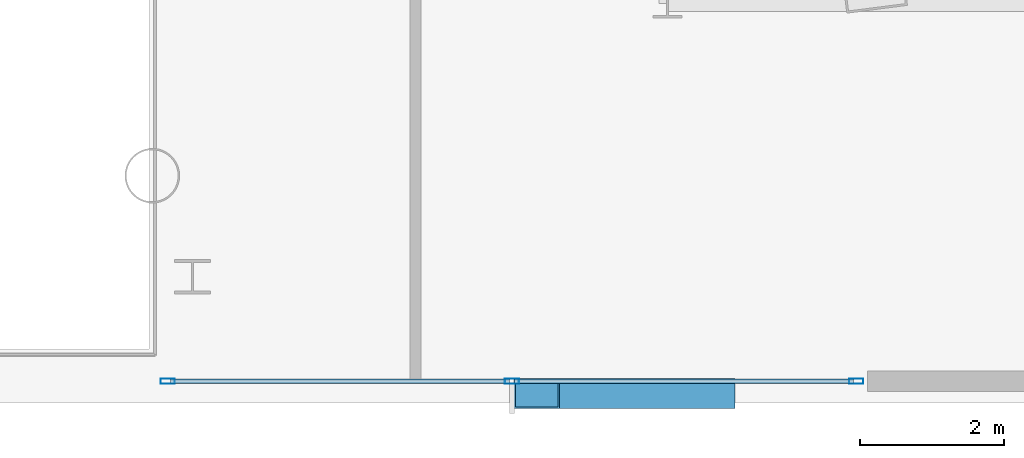
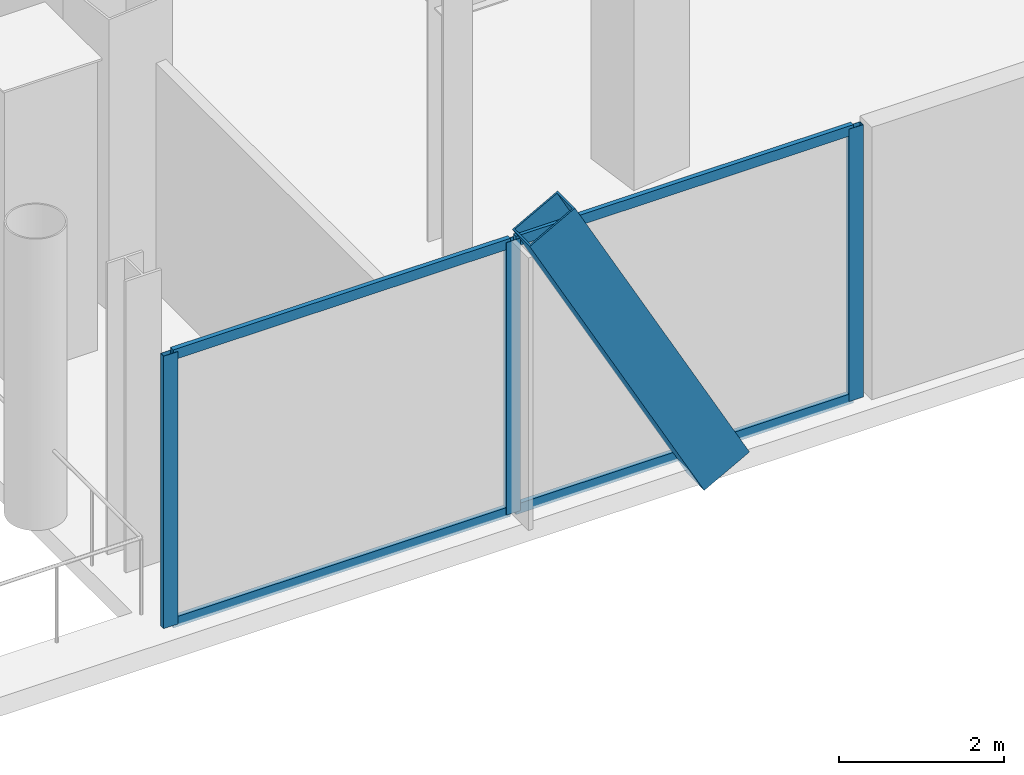
# One storey, part 14 of 42: 8 members, 1 element without a shape of its own.
"""IFC4 building model written with IfcOpenShell, lengths in metres."""

from ifc_helpers import new_model, si_unit, direction, frame, origin, origin_2d, place, context, subcontext, project, spatial, hollow_rectangle, extrude, material, layer, layer_set, material_profile, profile_set, type_object, element, aggregate, save


model = new_model("IFC4")

# Units and contexts
model_context = context("Model", 3, precision=1e-05, world=origin(), true_north=direction((0.0, 1.0)))
body_context = subcontext(model_context, "Body", "Model", "MODEL_VIEW")
ifc_project = project(units=[si_unit("LENGTHUNIT", "METRE"), si_unit("AREAUNIT", "SQUARE_METRE"), si_unit("VOLUMEUNIT", "CUBIC_METRE"), si_unit("PLANEANGLEUNIT", "RADIAN"), si_unit("MASSUNIT", "GRAM", prefix="KILO")], contexts=[model_context])

# Site, building, storey
site_placement = place(None, origin())
site = spatial("IfcSite", under=ifc_project, at=site_placement, CompositionType="ELEMENT")
building_placement = place(site_placement, origin())
building = spatial("IfcBuilding", under=site, at=building_placement, Name="Orvanel Arch Residences", CompositionType="ELEMENT")
storey_placement = place(building_placement, frame((0.0, 0.0, 9.800048828125)))
storey = spatial("IfcBuildingStorey", under=building, at=storey_placement, Name="L02", CompositionType="ELEMENT", Elevation=9.800048828125)

# Member
ifc_material_1 = material(Name="Structural steel AS/NZS 3678 Grade 350", Category="steel")
ifc_material_profile_1 = material_profile(ifc_material_1, hollow_rectangle(XDim=0.419921875, YDim=0.719970703125, WallThickness=0.02490234375, at=origin_2d()), Name="RHS720x420x25")
ifc_profile_set_1 = profile_set([ifc_material_profile_1], Name="Structural steel AS/NZS 3678 Grade 350")
member_type_1 = type_object("IfcMemberType", Name="BR-720RHS-EXT", PredefinedType="BRACE", material=ifc_profile_set_1)
member_1_placement = place(storey_placement, frame((46.819091796875, 0.580078125, -0.150146484375), z_axis=(-0.480018403674, 0.0, 0.877258418104), x_axis=(0.0, -1.0, 0.0)))
element("IfcMember", 1, at=member_1_placement, inside=storey, type_object=member_type_1, Name="L02 Podium Multi-Storey V-Strut Pair SE Leg 1", PredefinedType="BRACE", context=body_context, shape_type="SweptSolid", body=[
    extrude(hollow_rectangle(XDim=0.419921875, YDim=0.719970703125, WallThickness=0.02490234375, at=origin_2d()), origin(), (0.0, 0.0, 1.0), 5.07275390625),
])

# Curtain wall, members
ifc_material_2 = material(Name="Bronze-anodised aluminium AA6063-T6", Category="aluminium")
ifc_layer = layer(ifc_material_2, 0.199951171875)
ifc_layer_set = layer_set([ifc_layer], Name="Bronze-anodised aluminium AA6063-T6")
curtain_wall_type = type_object("IfcCurtainWallType", Name="CW1-POD-SYS", PredefinedType="NOTDEFINED", material=ifc_layer_set)
curtain_wall_placement = place(storey_placement, origin())
curtain_wall = element("IfcCurtainWall", 2, at=curtain_wall_placement, inside=storey, type_object=curtain_wall_type, Name="L02 CW1-POD-SYS Unitised Curtain Wall", PredefinedType="NOTDEFINED")
ifc_material_profile_2 = material_profile(ifc_material_2, hollow_rectangle(XDim=0.074951171875, YDim=0.199951171875, WallThickness=0.0048828125, at=origin_2d()), Name="ALU200x75x5")
ifc_profile_set_2 = profile_set([ifc_material_profile_2], Name="Bronze-anodised aluminium AA6063-T6")
member_type_2 = type_object("IfcMemberType", Name="MUL-200x75", PredefinedType="MULLION", material=ifc_profile_set_2)
member_2_placement = place(storey_placement, frame((39.257568359375, 0.75, 0.0), z_axis=(0.0, 0.0, 1.0), x_axis=(0.0, 1.0, 0.0)))
member_2 = element("IfcMember", 3, at=member_2_placement, type_object=member_type_2, Name="CW-S1 mullion 1", PredefinedType="MULLION", context=body_context, shape_type="SweptSolid", body=[
    extrude(hollow_rectangle(XDim=0.074951171875, YDim=0.199951171875, WallThickness=0.0048828125, at=origin_2d()), origin(), (0.0, 0.0, 1.0), 4.02001953125),
])
member_3_placement = place(storey_placement, frame((44.0400390625, 0.75, 0.0), z_axis=(0.0, 0.0, 1.0), x_axis=(0.0, 1.0, 0.0)))
member_3 = element("IfcMember", 4, at=member_3_placement, type_object=member_type_2, Name="CW-S1 mullion 2", PredefinedType="MULLION", context=body_context, shape_type="SweptSolid", body=[
    extrude(hollow_rectangle(XDim=0.074951171875, YDim=0.199951171875, WallThickness=0.0048828125, at=origin_2d()), origin(), (0.0, 0.0, 1.0), 4.02001953125),
])
member_4_placement = place(storey_placement, frame((48.822509765625, 0.75, 0.0), z_axis=(0.0, 0.0, 1.0), x_axis=(0.0, 1.0, 0.0)))
member_4 = element("IfcMember", 5, at=member_4_placement, type_object=member_type_2, Name="CW-S1 mullion 3", PredefinedType="MULLION", context=body_context, shape_type="SweptSolid", body=[
    extrude(hollow_rectangle(XDim=0.074951171875, YDim=0.199951171875, WallThickness=0.0048828125, at=origin_2d()), origin(), (0.0, 0.0, 1.0), 4.02001953125),
])
ifc_material_profile_3 = material_profile(ifc_material_2, hollow_rectangle(XDim=0.06494140625, YDim=0.14990234375, WallThickness=0.00390625, at=origin_2d()), Name="ALU150x65x4")
ifc_profile_set_3 = profile_set([ifc_material_profile_3], Name="Bronze-anodised aluminium AA6063-T6")
member_type_3 = type_object("IfcMemberType", Name="TRN-150x65", PredefinedType="USERDEFINED", material=ifc_profile_set_3)
member_5_placement = place(storey_placement, frame((39.294921875, 0.75, 0.032470703125), z_axis=(1.0, 0.0, 0.0), x_axis=(0.0, 1.0, 0.0)))
member_5 = element("IfcMember", 6, at=member_5_placement, type_object=member_type_3, Name="CW-S1 transom 1.1", ObjectType="TRANSOM", PredefinedType="USERDEFINED", context=body_context, shape_type="SweptSolid", body=[
    extrude(hollow_rectangle(XDim=0.06494140625, YDim=0.14990234375, WallThickness=0.00390625, at=origin_2d()), origin(), (0.0, 0.0, 1.0), 4.70751953125),
])
member_6_placement = place(storey_placement, frame((39.294921875, 0.75, 3.987548828125), z_axis=(1.0, 0.0, 0.0), x_axis=(0.0, 1.0, 0.0)))
member_6 = element("IfcMember", 7, at=member_6_placement, type_object=member_type_3, Name="CW-S1 transom 1.2", ObjectType="TRANSOM", PredefinedType="USERDEFINED", context=body_context, shape_type="SweptSolid", body=[
    extrude(hollow_rectangle(XDim=0.06494140625, YDim=0.14990234375, WallThickness=0.00390625, at=origin_2d()), origin(), (0.0, 0.0, 1.0), 4.70751953125),
])
member_7_placement = place(storey_placement, frame((44.077392578125, 0.75, 0.032470703125), z_axis=(1.0, 0.0, 0.0), x_axis=(0.0, 1.0, 0.0)))
member_7 = element("IfcMember", 8, at=member_7_placement, type_object=member_type_3, Name="CW-S1 transom 2.1", ObjectType="TRANSOM", PredefinedType="USERDEFINED", context=body_context, shape_type="SweptSolid", body=[
    extrude(hollow_rectangle(XDim=0.06494140625, YDim=0.14990234375, WallThickness=0.00390625, at=origin_2d()), origin(), (0.0, 0.0, 1.0), 4.70751953125),
])
member_8_placement = place(storey_placement, frame((44.077392578125, 0.75, 3.987548828125), z_axis=(1.0, 0.0, 0.0), x_axis=(0.0, 1.0, 0.0)))
member_8 = element("IfcMember", 9, at=member_8_placement, type_object=member_type_3, Name="CW-S1 transom 2.2", ObjectType="TRANSOM", PredefinedType="USERDEFINED", context=body_context, shape_type="SweptSolid", body=[
    extrude(hollow_rectangle(XDim=0.06494140625, YDim=0.14990234375, WallThickness=0.00390625, at=origin_2d()), origin(), (0.0, 0.0, 1.0), 4.70751953125),
])
aggregate(curtain_wall, [member_2, member_3, member_4, member_5, member_6, member_7, member_8])

save(model, "model.ifc")
